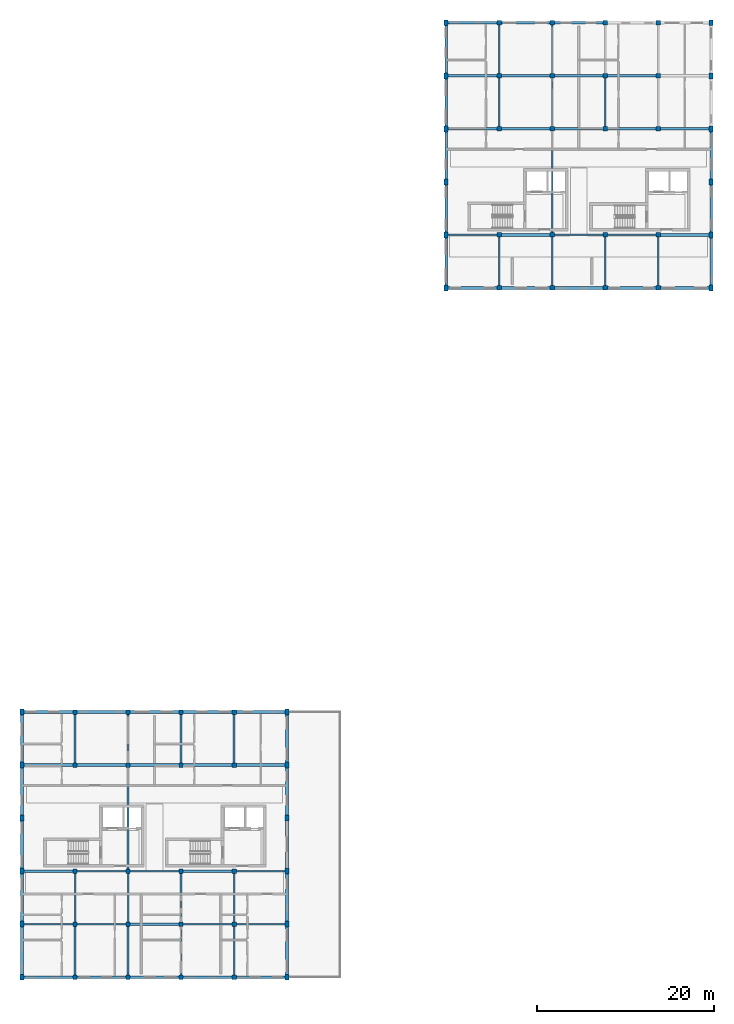
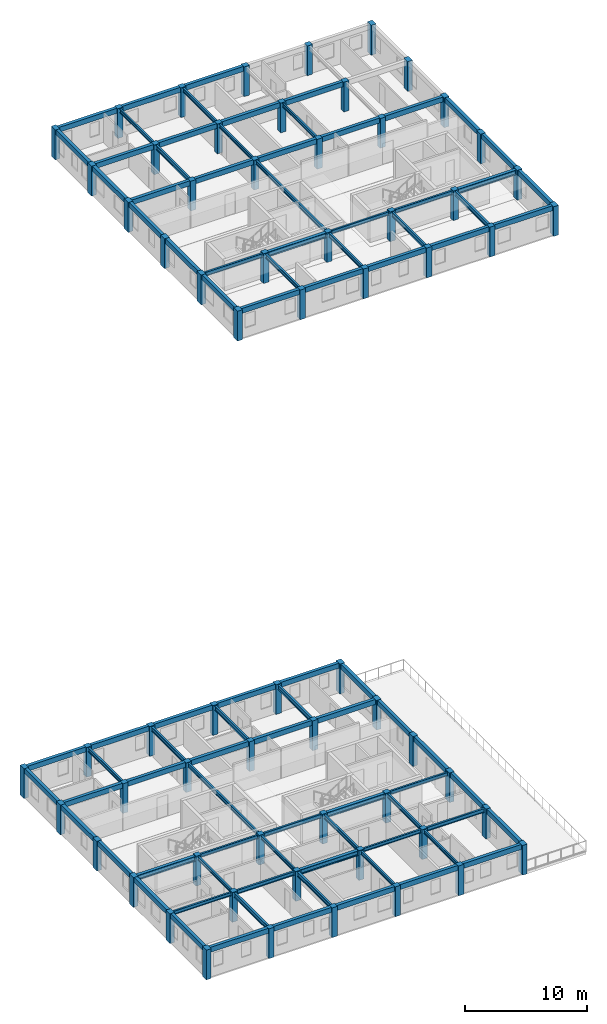
# One storey, part 1 of 13: 88 beams, 64 columns.
"""IFC4 building model written with IfcOpenShell, lengths in metres."""

from ifc_helpers import new_model, si_unit, direction, frame, origin, origin_2d, place, context, subcontext, project, spatial, rectangle, i_section, extrude, material, material_profile, profile_set, type_object, element, save


model = new_model("IFC4")

# Units and contexts
model_context = context("Model", 3, precision=1e-05, world=origin(), true_north=direction((0.0, 1.0)))
body_context = subcontext(model_context, "Body", "Model", "MODEL_VIEW")
ifc_project = project(units=[si_unit("LENGTHUNIT", "METRE"), si_unit("AREAUNIT", "SQUARE_METRE"), si_unit("VOLUMEUNIT", "CUBIC_METRE"), si_unit("PLANEANGLEUNIT", "RADIAN"), si_unit("MASSUNIT", "GRAM", prefix="KILO"), si_unit("POWERUNIT", "WATT"), si_unit("THERMODYNAMICTEMPERATUREUNIT", "KELVIN")], contexts=[model_context])

# Site, building, storey
site_placement = place(None, origin())
site = spatial("IfcSite", under=ifc_project, at=site_placement, CompositionType="ELEMENT")
building_placement = place(site_placement, origin())
building = spatial("IfcBuilding", under=site, at=building_placement, Name="Ruvembo Vaulted Housing Court", CompositionType="ELEMENT")
storey_placement = place(building_placement, frame((0.0, 0.0, 33.300048828125)))
storey = spatial("IfcBuildingStorey", under=building, at=storey_placement, Name="L10", CompositionType="ELEMENT", Elevation=33.300048828125)

# Columns
ifc_material_1 = material(Name="Concrete C35/45", Category="concrete")
ifc_material_profile_1 = material_profile(ifc_material_1, rectangle(XDim=0.449951171875, YDim=0.64990234375, at=origin_2d()), Name="RC 450x650")
ifc_profile_set_1 = profile_set([ifc_material_profile_1], Name="Concrete C35/45")
column_type_1 = type_object("IfcColumnType", Name="COL-RC-450x650", PredefinedType="COLUMN", material=ifc_profile_set_1)
for number, where, z_axis, x_axis, name in (
    (1, (0.0, 6.0, 0.0), (0.0, 0.0, 1.0), (1.0, 0.0, 0.0), "L10 Column (0,6)"),
    (2, (0.0, 12.0, 0.0), (0.0, 0.0, 1.0), (1.0, 0.0, 0.0), "L10 Column (0,12)"),
    (3, (0.0, 18.0, 0.0), (0.0, 0.0, 1.0), (1.0, 0.0, 0.0), "L10 Column (0,18)"),
    (4, (0.0, 24.0, 0.0), (0.0, 0.0, 1.0), (1.0, 0.0, 0.0), "L10 Column (0,24)"),
    (5, (0.0, 30.0, 0.0), (0.0, 0.0, 1.0), (1.0, 0.0, 0.0), "L10 Column (0,30)"),
    (6, (0.0, 36.0, 0.0), (0.0, 0.0, 1.0), (1.0, 0.0, 0.0), "L10 Column (0,36)"),
    (7, (30.0, 6.0, 0.0), (0.0, 0.0, 1.0), (1.0, 0.0, 0.0), "L10 Column (30,6)"),
    (8, (30.0, 12.0, 0.0), (0.0, 0.0, 1.0), (1.0, 0.0, 0.0), "L10 Column (30,12)"),
    (9, (30.0, 18.0, 0.0), (0.0, 0.0, 1.0), (1.0, 0.0, 0.0), "L10 Column (30,18)"),
    (10, (30.0, 24.0, 0.0), (0.0, 0.0, 1.0), (1.0, 0.0, 0.0), "L10 Column (30,24)"),
    (11, (30.0, 30.0, 0.0), (0.0, 0.0, 1.0), (1.0, 0.0, 0.0), "L10 Column (30,30)"),
    (12, (30.0, 36.0, 0.0), (0.0, 0.0, 1.0), (1.0, 0.0, 0.0), "L10 Column (30,36)"),
    (13, (48.0, 84.0, 0.0), (0.0, 0.0, 1.0), (1.0, 0.0, 0.0), "L10 Column (48,84)"),
    (14, (48.0, 90.0, 0.0), (0.0, 0.0, 1.0), (1.0, 0.0, 0.0), "L10 Column (48,90)"),
    (15, (48.0, 96.0, 0.0), (0.0, 0.0, 1.0), (1.0, 0.0, 0.0), "L10 Column (48,96)"),
    (16, (48.0, 102.0, 0.0), (0.0, 0.0, 1.0), (1.0, 0.0, 0.0), "L10 Column (48,102)"),
    (17, (48.0, 108.0, 0.0), (0.0, 0.0, 1.0), (1.0, 0.0, 0.0), "L10 Column (48,108)"),
    (18, (48.0, 114.0, 0.0), (0.0, 0.0, 1.0), (1.0, 0.0, 0.0), "L10 Column (48,114)"),
    (19, (78.0, 84.0, 0.0), (0.0, 0.0, 1.0), (1.0, 0.0, 0.0), "L10 Column (78,84)"),
    (20, (78.0, 90.0, 0.0), (0.0, 0.0, 1.0), (1.0, 0.0, 0.0), "L10 Column (78,90)"),
    (21, (78.0, 96.0, 0.0), (0.0, 0.0, 1.0), (1.0, 0.0, 0.0), "L10 Column (78,96)"),
    (22, (78.0, 102.0, 0.0), (0.0, 0.0, 1.0), (1.0, 0.0, 0.0), "L10 Column (78,102)"),
    (23, (78.0, 108.0, 0.0), (0.0, 0.0, 1.0), (1.0, 0.0, 0.0), "L10 Column (78,108)"),
    (24, (78.0, 114.0, 0.0), (0.0, 0.0, 1.0), (1.0, 0.0, 0.0), "L10 Column (78,114)"),
):
    element("IfcColumn", number, at=place(storey_placement, frame(where, z_axis=z_axis, x_axis=x_axis)), inside=storey, type_object=column_type_1, Name=name, PredefinedType="COLUMN", context=body_context, shape_type="SweptSolid", body=[
        extrude(rectangle(XDim=0.449951171875, YDim=0.64990234375, at=origin_2d()), origin(), (0.0, 0.0, 1.0), 2.989990234375),
    ])
ifc_material_profile_2 = material_profile(ifc_material_1, rectangle(XDim=0.5, YDim=0.5, at=origin_2d()), Name="RC 500x500")
ifc_profile_set_2 = profile_set([ifc_material_profile_2], Name="Concrete C35/45")
column_type_2 = type_object("IfcColumnType", Name="COL-RC-500", PredefinedType="COLUMN", material=ifc_profile_set_2)
for number, where, z_axis, x_axis, name in (
    (25, (6.0, 6.0, 0.0), (0.0, 0.0, 1.0), (1.0, 0.0, 0.0), "L10 Column (6,6)"),
    (26, (6.0, 12.0, 0.0), (0.0, 0.0, 1.0), (1.0, 0.0, 0.0), "L10 Column (6,12)"),
    (27, (6.0, 18.0, 0.0), (0.0, 0.0, 1.0), (1.0, 0.0, 0.0), "L10 Column (6,18)"),
    (28, (6.0, 30.0, 0.0), (0.0, 0.0, 1.0), (1.0, 0.0, 0.0), "L10 Column (6,30)"),
    (29, (6.0, 36.0, 0.0), (0.0, 0.0, 1.0), (1.0, 0.0, 0.0), "L10 Column (6,36)"),
    (30, (12.0, 6.0, 0.0), (0.0, 0.0, 1.0), (1.0, 0.0, 0.0), "L10 Column (12,6)"),
    (31, (12.0, 12.0, 0.0), (0.0, 0.0, 1.0), (1.0, 0.0, 0.0), "L10 Column (12,12)"),
    (32, (12.0, 18.0, 0.0), (0.0, 0.0, 1.0), (1.0, 0.0, 0.0), "L10 Column (12,18)"),
    (33, (12.0, 30.0, 0.0), (0.0, 0.0, 1.0), (1.0, 0.0, 0.0), "L10 Column (12,30)"),
    (34, (12.0, 36.0, 0.0), (0.0, 0.0, 1.0), (1.0, 0.0, 0.0), "L10 Column (12,36)"),
    (35, (18.0, 6.0, 0.0), (0.0, 0.0, 1.0), (1.0, 0.0, 0.0), "L10 Column (18,6)"),
    (36, (18.0, 12.0, 0.0), (0.0, 0.0, 1.0), (1.0, 0.0, 0.0), "L10 Column (18,12)"),
    (37, (18.0, 18.0, 0.0), (0.0, 0.0, 1.0), (1.0, 0.0, 0.0), "L10 Column (18,18)"),
    (38, (18.0, 30.0, 0.0), (0.0, 0.0, 1.0), (1.0, 0.0, 0.0), "L10 Column (18,30)"),
    (39, (18.0, 36.0, 0.0), (0.0, 0.0, 1.0), (1.0, 0.0, 0.0), "L10 Column (18,36)"),
    (40, (24.0, 6.0, 0.0), (0.0, 0.0, 1.0), (1.0, 0.0, 0.0), "L10 Column (24,6)"),
    (41, (24.0, 12.0, 0.0), (0.0, 0.0, 1.0), (1.0, 0.0, 0.0), "L10 Column (24,12)"),
    (42, (24.0, 18.0, 0.0), (0.0, 0.0, 1.0), (1.0, 0.0, 0.0), "L10 Column (24,18)"),
    (43, (24.0, 30.0, 0.0), (0.0, 0.0, 1.0), (1.0, 0.0, 0.0), "L10 Column (24,30)"),
    (44, (24.0, 36.0, 0.0), (0.0, 0.0, 1.0), (1.0, 0.0, 0.0), "L10 Column (24,36)"),
    (45, (54.0, 84.0, 0.0), (0.0, 0.0, 1.0), (1.0, 0.0, 0.0), "L10 Column (54,84)"),
    (46, (54.0, 90.0, 0.0), (0.0, 0.0, 1.0), (1.0, 0.0, 0.0), "L10 Column (54,90)"),
    (47, (54.0, 102.0, 0.0), (0.0, 0.0, 1.0), (1.0, 0.0, 0.0), "L10 Column (54,102)"),
    (48, (54.0, 108.0, 0.0), (0.0, 0.0, 1.0), (1.0, 0.0, 0.0), "L10 Column (54,108)"),
    (49, (54.0, 114.0, 0.0), (0.0, 0.0, 1.0), (1.0, 0.0, 0.0), "L10 Column (54,114)"),
    (50, (60.0, 84.0, 0.0), (0.0, 0.0, 1.0), (1.0, 0.0, 0.0), "L10 Column (60,84)"),
    (51, (60.0, 90.0, 0.0), (0.0, 0.0, 1.0), (1.0, 0.0, 0.0), "L10 Column (60,90)"),
    (52, (60.0, 102.0, 0.0), (0.0, 0.0, 1.0), (1.0, 0.0, 0.0), "L10 Column (60,102)"),
    (53, (60.0, 108.0, 0.0), (0.0, 0.0, 1.0), (1.0, 0.0, 0.0), "L10 Column (60,108)"),
    (54, (60.0, 114.0, 0.0), (0.0, 0.0, 1.0), (1.0, 0.0, 0.0), "L10 Column (60,114)"),
    (55, (66.0, 84.0, 0.0), (0.0, 0.0, 1.0), (1.0, 0.0, 0.0), "L10 Column (66,84)"),
    (56, (66.0, 90.0, 0.0), (0.0, 0.0, 1.0), (1.0, 0.0, 0.0), "L10 Column (66,90)"),
    (57, (66.0, 102.0, 0.0), (0.0, 0.0, 1.0), (1.0, 0.0, 0.0), "L10 Column (66,102)"),
    (58, (66.0, 108.0, 0.0), (0.0, 0.0, 1.0), (1.0, 0.0, 0.0), "L10 Column (66,108)"),
    (59, (66.0, 114.0, 0.0), (0.0, 0.0, 1.0), (1.0, 0.0, 0.0), "L10 Column (66,114)"),
    (60, (72.0, 84.0, 0.0), (0.0, 0.0, 1.0), (1.0, 0.0, 0.0), "L10 Column (72,84)"),
    (61, (72.0, 90.0, 0.0), (0.0, 0.0, 1.0), (1.0, 0.0, 0.0), "L10 Column (72,90)"),
    (62, (72.0, 102.0, 0.0), (0.0, 0.0, 1.0), (1.0, 0.0, 0.0), "L10 Column (72,102)"),
    (63, (72.0, 108.0, 0.0), (0.0, 0.0, 1.0), (1.0, 0.0, 0.0), "L10 Column (72,108)"),
    (64, (72.0, 114.0, 0.0), (0.0, 0.0, 1.0), (1.0, 0.0, 0.0), "L10 Column (72,114)"),
):
    element("IfcColumn", number, at=place(storey_placement, frame(where, z_axis=z_axis, x_axis=x_axis)), inside=storey, type_object=column_type_2, Name=name, PredefinedType="COLUMN", context=body_context, shape_type="SweptSolid", body=[
        extrude(rectangle(XDim=0.5, YDim=0.5, at=origin_2d()), origin(), (0.0, 0.0, 1.0), 2.989990234375),
    ])

# Beams
ifc_material_2 = material(Name="Steel S355J2", Category="steel")
ifc_material_profile_3 = material_profile(ifc_material_2, i_section(OverallWidth=0.300048828125, OverallDepth=0.5, WebThickness=0.014404296875, FlangeThickness=0.028076171875, FilletRadius=0.027099609375, at=origin_2d()), Name="HEB 320")
ifc_profile_set_3 = profile_set([ifc_material_profile_3], Name="Steel S355J2")
beam_type_1 = type_object("IfcBeamType", Name="BM-ST-HEB320", PredefinedType="BEAM", material=ifc_profile_set_3)
beam_1_placement = place(storey_placement, frame((12.235107421875, 12.0, 2.676025390625), z_axis=(1.0, 0.0, 0.0), x_axis=(0.0, 1.0, 0.0)))
element("IfcBeam", 65, at=beam_1_placement, inside=storey, type_object=beam_type_1, Name="L10 Grid Beam X #3248", PredefinedType="BEAM", context=body_context, shape_type="SweptSolid", body=[
    extrude(i_section(OverallWidth=0.300048828125, OverallDepth=0.5, WebThickness=0.014404296875, FlangeThickness=0.028076171875, FilletRadius=0.027099609375, at=origin_2d()), origin(), (0.0, 0.0, 1.0), 5.52978515625),
])
beam_2_placement = place(storey_placement, frame((0.2099609375, 18.0, 2.676025390625), z_axis=(1.0, 0.0, 0.0), x_axis=(0.0, 1.0, 0.0)))
element("IfcBeam", 66, at=beam_2_placement, inside=storey, type_object=beam_type_1, Name="L10 Grid Beam X #3251", PredefinedType="BEAM", context=body_context, shape_type="SweptSolid", body=[
    extrude(i_section(OverallWidth=0.300048828125, OverallDepth=0.5, WebThickness=0.014404296875, FlangeThickness=0.028076171875, FilletRadius=0.027099609375, at=origin_2d()), origin(), (0.0, 0.0, 1.0), 5.554931640625),
])
for number, where, z_axis, x_axis, name in (
    (67, (18.235107421875, 18.0, 2.676025390625), (1.0, 0.0, 0.0), (0.0, 1.0, 0.0), "L10 Grid Beam X #3254"),
    (68, (54.235107421875, 90.0, 2.676025390625), (1.0, 0.0, 0.0), (0.0, 1.0, 0.0), "L10 Grid Beam X #3272"),
):
    element("IfcBeam", number, at=place(storey_placement, frame(where, z_axis=z_axis, x_axis=x_axis)), inside=storey, type_object=beam_type_1, Name=name, PredefinedType="BEAM", context=body_context, shape_type="SweptSolid", body=[
        extrude(i_section(OverallWidth=0.300048828125, OverallDepth=0.5, WebThickness=0.014404296875, FlangeThickness=0.028076171875, FilletRadius=0.027099609375, at=origin_2d()), origin(), (0.0, 0.0, 1.0), 5.52978515625),
    ])
beam_3_placement = place(storey_placement, frame((72.235107421875, 90.0, 2.676025390625), z_axis=(1.0, 0.0, 0.0), x_axis=(0.0, 1.0, 0.0)))
element("IfcBeam", 69, at=beam_3_placement, inside=storey, type_object=beam_type_1, Name="L10 Grid Beam X #3275", PredefinedType="BEAM", context=body_context, shape_type="SweptSolid", body=[
    extrude(i_section(OverallWidth=0.300048828125, OverallDepth=0.5, WebThickness=0.014404296875, FlangeThickness=0.028076171875, FilletRadius=0.027099609375, at=origin_2d()), origin(), (0.0, 0.0, 1.0), 5.554931640625),
])
ifc_material_profile_4 = material_profile(ifc_material_2, i_section(OverallWidth=0.169921875, OverallDepth=0.360107421875, WebThickness=0.008056640625, FlangeThickness=0.0126953125, FilletRadius=0.01806640625, at=origin_2d()), Name="IPE 360")
ifc_profile_set_4 = profile_set([ifc_material_profile_4], Name="Steel S355J2")
beam_type_2 = type_object("IfcBeamType", Name="BM-ST-IPE360", PredefinedType="BEAM", material=ifc_profile_set_4)
beam_4_placement = place(storey_placement, frame((0.2099609375, 12.0, 2.745849609375), z_axis=(1.0, 0.0, 0.0), x_axis=(0.0, 1.0, 0.0)))
element("IfcBeam", 70, at=beam_4_placement, inside=storey, type_object=beam_type_2, Name="L10 Grid Beam X #3246", PredefinedType="BEAM", context=body_context, shape_type="SweptSolid", body=[
    extrude(i_section(OverallWidth=0.169921875, OverallDepth=0.360107421875, WebThickness=0.008056640625, FlangeThickness=0.0126953125, FilletRadius=0.01806640625, at=origin_2d()), origin(), (0.0, 0.0, 1.0), 5.554931640625),
])
for number, where, z_axis, x_axis, name in (
    (71, (18.235107421875, 12.0, 2.745849609375), (1.0, 0.0, 0.0), (0.0, 1.0, 0.0), "L10 Grid Beam X #3249"),
    (72, (6.235107421875, 18.0, 2.745849609375), (1.0, 0.0, 0.0), (0.0, 1.0, 0.0), "L10 Grid Beam X #3252"),
):
    element("IfcBeam", number, at=place(storey_placement, frame(where, z_axis=z_axis, x_axis=x_axis)), inside=storey, type_object=beam_type_2, Name=name, PredefinedType="BEAM", context=body_context, shape_type="SweptSolid", body=[
        extrude(i_section(OverallWidth=0.169921875, OverallDepth=0.360107421875, WebThickness=0.008056640625, FlangeThickness=0.0126953125, FilletRadius=0.01806640625, at=origin_2d()), origin(), (0.0, 0.0, 1.0), 5.52978515625),
    ])
beam_5_placement = place(storey_placement, frame((24.235107421875, 18.0, 2.745849609375), z_axis=(1.0, 0.0, 0.0), x_axis=(0.0, 1.0, 0.0)))
element("IfcBeam", 73, at=beam_5_placement, inside=storey, type_object=beam_type_2, Name="L10 Grid Beam X #3255", PredefinedType="BEAM", context=body_context, shape_type="SweptSolid", body=[
    extrude(i_section(OverallWidth=0.169921875, OverallDepth=0.360107421875, WebThickness=0.008056640625, FlangeThickness=0.0126953125, FilletRadius=0.01806640625, at=origin_2d()), origin(), (0.0, 0.0, 1.0), 5.554931640625),
])
for number, where, z_axis, x_axis, name in (
    (74, (60.235107421875, 90.0, 2.745849609375), (1.0, 0.0, 0.0), (0.0, 1.0, 0.0), "L10 Grid Beam X #3273"),
    (75, (6.0, 12.235107421875, 2.745849609375), (0.0, 1.0, 0.0), (-1.0, 0.0, 0.0), "L10 Grid Beam Y #3297"),
    (76, (12.0, 12.235107421875, 2.745849609375), (0.0, 1.0, 0.0), (-1.0, 0.0, 0.0), "L10 Grid Beam Y #3300"),
    (77, (18.0, 6.235107421875, 2.745849609375), (0.0, 1.0, 0.0), (-1.0, 0.0, 0.0), "L10 Grid Beam Y #3303"),
    (78, (24.0, 6.235107421875, 2.745849609375), (0.0, 1.0, 0.0), (-1.0, 0.0, 0.0), "L10 Grid Beam Y #3306"),
    (79, (54.0, 108.235107421875, 2.745849609375), (0.0, 1.0, 0.0), (-1.0, 0.0, 0.0), "L10 Grid Beam Y #3321"),
    (80, (60.0, 102.235107421875, 2.745849609375), (0.0, 1.0, 0.0), (-1.0, 0.0, 0.0), "L10 Grid Beam Y #3324"),
    (81, (66.0, 102.235107421875, 2.745849609375), (0.0, 1.0, 0.0), (-1.0, 0.0, 0.0), "L10 Grid Beam Y #3327"),
):
    element("IfcBeam", number, at=place(storey_placement, frame(where, z_axis=z_axis, x_axis=x_axis)), inside=storey, type_object=beam_type_2, Name=name, PredefinedType="BEAM", context=body_context, shape_type="SweptSolid", body=[
        extrude(i_section(OverallWidth=0.169921875, OverallDepth=0.360107421875, WebThickness=0.008056640625, FlangeThickness=0.0126953125, FilletRadius=0.01806640625, at=origin_2d()), origin(), (0.0, 0.0, 1.0), 5.52978515625),
    ])
ifc_material_profile_5 = material_profile(ifc_material_2, i_section(OverallWidth=0.179931640625, OverallDepth=0.39990234375, WebThickness=0.008544921875, FlangeThickness=0.013427734375, FilletRadius=0.02099609375, at=origin_2d()), Name="IPE 400")
ifc_profile_set_5 = profile_set([ifc_material_profile_5], Name="Steel S355J2")
beam_type_3 = type_object("IfcBeamType", Name="BM-ST-IPE400", PredefinedType="BEAM", material=ifc_profile_set_5)
beam_6_placement = place(storey_placement, frame((6.235107421875, 12.0, 2.725830078125), z_axis=(1.0, 0.0, 0.0), x_axis=(0.0, 1.0, 0.0)))
element("IfcBeam", 82, at=beam_6_placement, inside=storey, type_object=beam_type_3, Name="L10 Grid Beam X #3247", PredefinedType="BEAM", context=body_context, shape_type="SweptSolid", body=[
    extrude(i_section(OverallWidth=0.179931640625, OverallDepth=0.39990234375, WebThickness=0.008544921875, FlangeThickness=0.013427734375, FilletRadius=0.02099609375, at=origin_2d()), origin(), (0.0, 0.0, 1.0), 5.52978515625),
])
beam_7_placement = place(storey_placement, frame((24.235107421875, 12.0, 2.725830078125), z_axis=(1.0, 0.0, 0.0), x_axis=(0.0, 1.0, 0.0)))
element("IfcBeam", 83, at=beam_7_placement, inside=storey, type_object=beam_type_3, Name="L10 Grid Beam X #3250", PredefinedType="BEAM", context=body_context, shape_type="SweptSolid", body=[
    extrude(i_section(OverallWidth=0.179931640625, OverallDepth=0.39990234375, WebThickness=0.008544921875, FlangeThickness=0.013427734375, FilletRadius=0.02099609375, at=origin_2d()), origin(), (0.0, 0.0, 1.0), 5.554931640625),
])
beam_8_placement = place(storey_placement, frame((12.235107421875, 18.0, 2.725830078125), z_axis=(1.0, 0.0, 0.0), x_axis=(0.0, 1.0, 0.0)))
element("IfcBeam", 84, at=beam_8_placement, inside=storey, type_object=beam_type_3, Name="L10 Grid Beam X #3253", PredefinedType="BEAM", context=body_context, shape_type="SweptSolid", body=[
    extrude(i_section(OverallWidth=0.179931640625, OverallDepth=0.39990234375, WebThickness=0.008544921875, FlangeThickness=0.013427734375, FilletRadius=0.02099609375, at=origin_2d()), origin(), (0.0, 0.0, 1.0), 5.52978515625),
])
beam_9_placement = place(storey_placement, frame((48.2099609375, 90.0, 2.725830078125), z_axis=(1.0, 0.0, 0.0), x_axis=(0.0, 1.0, 0.0)))
element("IfcBeam", 85, at=beam_9_placement, inside=storey, type_object=beam_type_3, Name="L10 Grid Beam X #3271", PredefinedType="BEAM", context=body_context, shape_type="SweptSolid", body=[
    extrude(i_section(OverallWidth=0.179931640625, OverallDepth=0.39990234375, WebThickness=0.008544921875, FlangeThickness=0.013427734375, FilletRadius=0.02099609375, at=origin_2d()), origin(), (0.0, 0.0, 1.0), 5.554931640625),
])
for number, where, z_axis, x_axis, name in (
    (86, (66.235107421875, 90.0, 2.725830078125), (1.0, 0.0, 0.0), (0.0, 1.0, 0.0), "L10 Grid Beam X #3274"),
    (87, (6.0, 30.235107421875, 2.725830078125), (0.0, 1.0, 0.0), (-1.0, 0.0, 0.0), "L10 Grid Beam Y #3298"),
):
    element("IfcBeam", number, at=place(storey_placement, frame(where, z_axis=z_axis, x_axis=x_axis)), inside=storey, type_object=beam_type_3, Name=name, PredefinedType="BEAM", context=body_context, shape_type="SweptSolid", body=[
        extrude(i_section(OverallWidth=0.179931640625, OverallDepth=0.39990234375, WebThickness=0.008544921875, FlangeThickness=0.013427734375, FilletRadius=0.02099609375, at=origin_2d()), origin(), (0.0, 0.0, 1.0), 5.52978515625),
    ])
beam_10_placement = place(storey_placement, frame((12.0, 18.235107421875, 2.725830078125), z_axis=(0.0, 1.0, 0.0), x_axis=(-1.0, 0.0, 0.0)))
element("IfcBeam", 88, at=beam_10_placement, inside=storey, type_object=beam_type_3, Name="L10 Grid Beam Y #3301", PredefinedType="BEAM", context=body_context, shape_type="SweptSolid", body=[
    extrude(i_section(OverallWidth=0.179931640625, OverallDepth=0.39990234375, WebThickness=0.008544921875, FlangeThickness=0.013427734375, FilletRadius=0.02099609375, at=origin_2d()), origin(), (0.0, 0.0, 1.0), 11.52978515625),
])
for number, where, z_axis, x_axis, name in (
    (89, (18.0, 12.235107421875, 2.725830078125), (0.0, 1.0, 0.0), (-1.0, 0.0, 0.0), "L10 Grid Beam Y #3304"),
    (90, (24.0, 12.235107421875, 2.725830078125), (0.0, 1.0, 0.0), (-1.0, 0.0, 0.0), "L10 Grid Beam Y #3307"),
    (91, (54.0, 84.235107421875, 2.725830078125), (0.0, 1.0, 0.0), (-1.0, 0.0, 0.0), "L10 Grid Beam Y #3319"),
    (92, (60.0, 84.235107421875, 2.725830078125), (0.0, 1.0, 0.0), (-1.0, 0.0, 0.0), "L10 Grid Beam Y #3322"),
):
    element("IfcBeam", number, at=place(storey_placement, frame(where, z_axis=z_axis, x_axis=x_axis)), inside=storey, type_object=beam_type_3, Name=name, PredefinedType="BEAM", context=body_context, shape_type="SweptSolid", body=[
        extrude(i_section(OverallWidth=0.179931640625, OverallDepth=0.39990234375, WebThickness=0.008544921875, FlangeThickness=0.013427734375, FilletRadius=0.02099609375, at=origin_2d()), origin(), (0.0, 0.0, 1.0), 5.52978515625),
    ])
beam_11_placement = place(storey_placement, frame((60.0, 90.235107421875, 2.725830078125), z_axis=(0.0, 1.0, 0.0), x_axis=(-1.0, 0.0, 0.0)))
element("IfcBeam", 93, at=beam_11_placement, inside=storey, type_object=beam_type_3, Name="L10 Grid Beam Y #3323", PredefinedType="BEAM", context=body_context, shape_type="SweptSolid", body=[
    extrude(i_section(OverallWidth=0.179931640625, OverallDepth=0.39990234375, WebThickness=0.008544921875, FlangeThickness=0.013427734375, FilletRadius=0.02099609375, at=origin_2d()), origin(), (0.0, 0.0, 1.0), 11.52978515625),
])
beam_12_placement = place(storey_placement, frame((60.0, 108.235107421875, 2.725830078125), z_axis=(0.0, 1.0, 0.0), x_axis=(-1.0, 0.0, 0.0)))
element("IfcBeam", 94, at=beam_12_placement, inside=storey, type_object=beam_type_3, Name="L10 Grid Beam Y #3325", PredefinedType="BEAM", context=body_context, shape_type="SweptSolid", body=[
    extrude(i_section(OverallWidth=0.179931640625, OverallDepth=0.39990234375, WebThickness=0.008544921875, FlangeThickness=0.013427734375, FilletRadius=0.02099609375, at=origin_2d()), origin(), (0.0, 0.0, 1.0), 5.52978515625),
])
ifc_material_profile_6 = material_profile(ifc_material_2, i_section(OverallWidth=0.18994140625, OverallDepth=0.449951171875, WebThickness=0.009521484375, FlangeThickness=0.0146484375, FilletRadius=0.02099609375, at=origin_2d()), Name="IPE 450")
ifc_profile_set_6 = profile_set([ifc_material_profile_6], Name="Steel S355J2")
beam_type_4 = type_object("IfcBeamType", Name="BM-ST-IPE450", PredefinedType="BEAM", material=ifc_profile_set_6)
for number, where, z_axis, x_axis, name in (
    (95, (6.0, 6.235107421875, 2.700927734375), (0.0, 1.0, 0.0), (-1.0, 0.0, 0.0), "L10 Grid Beam Y #3296"),
    (96, (12.0, 6.235107421875, 2.700927734375), (0.0, 1.0, 0.0), (-1.0, 0.0, 0.0), "L10 Grid Beam Y #3299"),
    (97, (12.0, 30.235107421875, 2.700927734375), (0.0, 1.0, 0.0), (-1.0, 0.0, 0.0), "L10 Grid Beam Y #3302"),
    (98, (18.0, 30.235107421875, 2.700927734375), (0.0, 1.0, 0.0), (-1.0, 0.0, 0.0), "L10 Grid Beam Y #3305"),
    (99, (24.0, 30.235107421875, 2.700927734375), (0.0, 1.0, 0.0), (-1.0, 0.0, 0.0), "L10 Grid Beam Y #3308"),
    (100, (54.0, 102.235107421875, 2.700927734375), (0.0, 1.0, 0.0), (-1.0, 0.0, 0.0), "L10 Grid Beam Y #3320"),
    (101, (66.0, 84.235107421875, 2.700927734375), (0.0, 1.0, 0.0), (-1.0, 0.0, 0.0), "L10 Grid Beam Y #3326"),
    (102, (72.0, 84.235107421875, 2.700927734375), (0.0, 1.0, 0.0), (-1.0, 0.0, 0.0), "L10 Grid Beam Y #3329"),
):
    element("IfcBeam", number, at=place(storey_placement, frame(where, z_axis=z_axis, x_axis=x_axis)), inside=storey, type_object=beam_type_4, Name=name, PredefinedType="BEAM", context=body_context, shape_type="SweptSolid", body=[
        extrude(i_section(OverallWidth=0.18994140625, OverallDepth=0.449951171875, WebThickness=0.009521484375, FlangeThickness=0.0146484375, FilletRadius=0.02099609375, at=origin_2d()), origin(), (0.0, 0.0, 1.0), 5.52978515625),
    ])
ifc_material_profile_7 = material_profile(ifc_material_1, rectangle(XDim=0.300048828125, YDim=0.5, at=origin_2d()), Name="RC 300x500")
ifc_profile_set_7 = profile_set([ifc_material_profile_7], Name="Concrete C35/45")
beam_type_5 = type_object("IfcBeamType", Name="SP-RC-300x500", PredefinedType="SPANDREL", material=ifc_profile_set_7)
beam_13_placement = place(storey_placement, frame((0.2099609375, 6.0, 2.739990234375), z_axis=(1.0, 0.0, 0.0), x_axis=(0.0, 1.0, 0.0)))
element("IfcBeam", 103, at=beam_13_placement, inside=storey, type_object=beam_type_5, Name="L10 Grid Beam X #3241", PredefinedType="SPANDREL", context=body_context, shape_type="SweptSolid", body=[
    extrude(rectangle(XDim=0.300048828125, YDim=0.5, at=origin_2d()), origin(), (0.0, 0.0, 1.0), 5.554931640625),
])
for number, where, z_axis, x_axis, name in (
    (104, (6.235107421875, 6.0, 2.739990234375), (1.0, 0.0, 0.0), (0.0, 1.0, 0.0), "L10 Grid Beam X #3242"),
    (105, (12.235107421875, 6.0, 2.739990234375), (1.0, 0.0, 0.0), (0.0, 1.0, 0.0), "L10 Grid Beam X #3243"),
    (106, (18.235107421875, 6.0, 2.739990234375), (1.0, 0.0, 0.0), (0.0, 1.0, 0.0), "L10 Grid Beam X #3244"),
):
    element("IfcBeam", number, at=place(storey_placement, frame(where, z_axis=z_axis, x_axis=x_axis)), inside=storey, type_object=beam_type_5, Name=name, PredefinedType="SPANDREL", context=body_context, shape_type="SweptSolid", body=[
        extrude(rectangle(XDim=0.300048828125, YDim=0.5, at=origin_2d()), origin(), (0.0, 0.0, 1.0), 5.52978515625),
    ])
for number, where, z_axis, x_axis, name in (
    (107, (24.235107421875, 6.0, 2.739990234375), (1.0, 0.0, 0.0), (0.0, 1.0, 0.0), "L10 Grid Beam X #3245"),
    (108, (0.2099609375, 30.0, 2.739990234375), (1.0, 0.0, 0.0), (0.0, 1.0, 0.0), "L10 Grid Beam X #3256"),
):
    element("IfcBeam", number, at=place(storey_placement, frame(where, z_axis=z_axis, x_axis=x_axis)), inside=storey, type_object=beam_type_5, Name=name, PredefinedType="SPANDREL", context=body_context, shape_type="SweptSolid", body=[
        extrude(rectangle(XDim=0.300048828125, YDim=0.5, at=origin_2d()), origin(), (0.0, 0.0, 1.0), 5.554931640625),
    ])
for number, where, z_axis, x_axis, name in (
    (109, (6.235107421875, 30.0, 2.739990234375), (1.0, 0.0, 0.0), (0.0, 1.0, 0.0), "L10 Grid Beam X #3257"),
    (110, (12.235107421875, 30.0, 2.739990234375), (1.0, 0.0, 0.0), (0.0, 1.0, 0.0), "L10 Grid Beam X #3258"),
    (111, (18.235107421875, 30.0, 2.739990234375), (1.0, 0.0, 0.0), (0.0, 1.0, 0.0), "L10 Grid Beam X #3259"),
):
    element("IfcBeam", number, at=place(storey_placement, frame(where, z_axis=z_axis, x_axis=x_axis)), inside=storey, type_object=beam_type_5, Name=name, PredefinedType="SPANDREL", context=body_context, shape_type="SweptSolid", body=[
        extrude(rectangle(XDim=0.300048828125, YDim=0.5, at=origin_2d()), origin(), (0.0, 0.0, 1.0), 5.52978515625),
    ])
for number, where, z_axis, x_axis, name in (
    (112, (24.235107421875, 30.0, 2.739990234375), (1.0, 0.0, 0.0), (0.0, 1.0, 0.0), "L10 Grid Beam X #3260"),
    (113, (0.2099609375, 36.0, 2.739990234375), (1.0, 0.0, 0.0), (0.0, 1.0, 0.0), "L10 Grid Beam X #3261"),
):
    element("IfcBeam", number, at=place(storey_placement, frame(where, z_axis=z_axis, x_axis=x_axis)), inside=storey, type_object=beam_type_5, Name=name, PredefinedType="SPANDREL", context=body_context, shape_type="SweptSolid", body=[
        extrude(rectangle(XDim=0.300048828125, YDim=0.5, at=origin_2d()), origin(), (0.0, 0.0, 1.0), 5.554931640625),
    ])
for number, where, z_axis, x_axis, name in (
    (114, (6.235107421875, 36.0, 2.739990234375), (1.0, 0.0, 0.0), (0.0, 1.0, 0.0), "L10 Grid Beam X #3262"),
    (115, (12.235107421875, 36.0, 2.739990234375), (1.0, 0.0, 0.0), (0.0, 1.0, 0.0), "L10 Grid Beam X #3263"),
    (116, (18.235107421875, 36.0, 2.739990234375), (1.0, 0.0, 0.0), (0.0, 1.0, 0.0), "L10 Grid Beam X #3264"),
):
    element("IfcBeam", number, at=place(storey_placement, frame(where, z_axis=z_axis, x_axis=x_axis)), inside=storey, type_object=beam_type_5, Name=name, PredefinedType="SPANDREL", context=body_context, shape_type="SweptSolid", body=[
        extrude(rectangle(XDim=0.300048828125, YDim=0.5, at=origin_2d()), origin(), (0.0, 0.0, 1.0), 5.52978515625),
    ])
for number, where, z_axis, x_axis, name in (
    (117, (24.235107421875, 36.0, 2.739990234375), (1.0, 0.0, 0.0), (0.0, 1.0, 0.0), "L10 Grid Beam X #3265"),
    (118, (48.2099609375, 84.0, 2.739990234375), (1.0, 0.0, 0.0), (0.0, 1.0, 0.0), "L10 Grid Beam X #3266"),
):
    element("IfcBeam", number, at=place(storey_placement, frame(where, z_axis=z_axis, x_axis=x_axis)), inside=storey, type_object=beam_type_5, Name=name, PredefinedType="SPANDREL", context=body_context, shape_type="SweptSolid", body=[
        extrude(rectangle(XDim=0.300048828125, YDim=0.5, at=origin_2d()), origin(), (0.0, 0.0, 1.0), 5.554931640625),
    ])
for number, where, z_axis, x_axis, name in (
    (119, (54.235107421875, 84.0, 2.739990234375), (1.0, 0.0, 0.0), (0.0, 1.0, 0.0), "L10 Grid Beam X #3267"),
    (120, (60.235107421875, 84.0, 2.739990234375), (1.0, 0.0, 0.0), (0.0, 1.0, 0.0), "L10 Grid Beam X #3268"),
    (121, (66.235107421875, 84.0, 2.739990234375), (1.0, 0.0, 0.0), (0.0, 1.0, 0.0), "L10 Grid Beam X #3269"),
):
    element("IfcBeam", number, at=place(storey_placement, frame(where, z_axis=z_axis, x_axis=x_axis)), inside=storey, type_object=beam_type_5, Name=name, PredefinedType="SPANDREL", context=body_context, shape_type="SweptSolid", body=[
        extrude(rectangle(XDim=0.300048828125, YDim=0.5, at=origin_2d()), origin(), (0.0, 0.0, 1.0), 5.52978515625),
    ])
for number, where, z_axis, x_axis, name in (
    (122, (72.235107421875, 84.0, 2.739990234375), (1.0, 0.0, 0.0), (0.0, 1.0, 0.0), "L10 Grid Beam X #3270"),
    (123, (48.2099609375, 102.0, 2.739990234375), (1.0, 0.0, 0.0), (0.0, 1.0, 0.0), "L10 Grid Beam X #3276"),
):
    element("IfcBeam", number, at=place(storey_placement, frame(where, z_axis=z_axis, x_axis=x_axis)), inside=storey, type_object=beam_type_5, Name=name, PredefinedType="SPANDREL", context=body_context, shape_type="SweptSolid", body=[
        extrude(rectangle(XDim=0.300048828125, YDim=0.5, at=origin_2d()), origin(), (0.0, 0.0, 1.0), 5.554931640625),
    ])
for number, where, z_axis, x_axis, name in (
    (124, (54.235107421875, 102.0, 2.739990234375), (1.0, 0.0, 0.0), (0.0, 1.0, 0.0), "L10 Grid Beam X #3277"),
    (125, (60.235107421875, 102.0, 2.739990234375), (1.0, 0.0, 0.0), (0.0, 1.0, 0.0), "L10 Grid Beam X #3278"),
    (126, (66.235107421875, 102.0, 2.739990234375), (1.0, 0.0, 0.0), (0.0, 1.0, 0.0), "L10 Grid Beam X #3279"),
):
    element("IfcBeam", number, at=place(storey_placement, frame(where, z_axis=z_axis, x_axis=x_axis)), inside=storey, type_object=beam_type_5, Name=name, PredefinedType="SPANDREL", context=body_context, shape_type="SweptSolid", body=[
        extrude(rectangle(XDim=0.300048828125, YDim=0.5, at=origin_2d()), origin(), (0.0, 0.0, 1.0), 5.52978515625),
    ])
for number, where, z_axis, x_axis, name in (
    (127, (72.235107421875, 102.0, 2.739990234375), (1.0, 0.0, 0.0), (0.0, 1.0, 0.0), "L10 Grid Beam X #3280"),
    (128, (48.2099609375, 108.0, 2.739990234375), (1.0, 0.0, 0.0), (0.0, 1.0, 0.0), "L10 Grid Beam X #3281"),
):
    element("IfcBeam", number, at=place(storey_placement, frame(where, z_axis=z_axis, x_axis=x_axis)), inside=storey, type_object=beam_type_5, Name=name, PredefinedType="SPANDREL", context=body_context, shape_type="SweptSolid", body=[
        extrude(rectangle(XDim=0.300048828125, YDim=0.5, at=origin_2d()), origin(), (0.0, 0.0, 1.0), 5.554931640625),
    ])
for number, where, z_axis, x_axis, name in (
    (129, (54.235107421875, 108.0, 2.739990234375), (1.0, 0.0, 0.0), (0.0, 1.0, 0.0), "L10 Grid Beam X #3282"),
    (130, (60.235107421875, 108.0, 2.739990234375), (1.0, 0.0, 0.0), (0.0, 1.0, 0.0), "L10 Grid Beam X #3283"),
    (131, (66.235107421875, 108.0, 2.739990234375), (1.0, 0.0, 0.0), (0.0, 1.0, 0.0), "L10 Grid Beam X #3284"),
):
    element("IfcBeam", number, at=place(storey_placement, frame(where, z_axis=z_axis, x_axis=x_axis)), inside=storey, type_object=beam_type_5, Name=name, PredefinedType="SPANDREL", context=body_context, shape_type="SweptSolid", body=[
        extrude(rectangle(XDim=0.300048828125, YDim=0.5, at=origin_2d()), origin(), (0.0, 0.0, 1.0), 5.52978515625),
    ])
beam_14_placement = place(storey_placement, frame((48.2099609375, 114.0, 2.739990234375), z_axis=(1.0, 0.0, 0.0), x_axis=(0.0, 1.0, 0.0)))
element("IfcBeam", 132, at=beam_14_placement, inside=storey, type_object=beam_type_5, Name="L10 Grid Beam X #3286", PredefinedType="SPANDREL", context=body_context, shape_type="SweptSolid", body=[
    extrude(rectangle(XDim=0.300048828125, YDim=0.5, at=origin_2d()), origin(), (0.0, 0.0, 1.0), 5.554931640625),
])
for number, where, z_axis, x_axis, name in (
    (133, (54.235107421875, 114.0, 2.739990234375), (1.0, 0.0, 0.0), (0.0, 1.0, 0.0), "L10 Grid Beam X #3287"),
    (134, (60.235107421875, 114.0, 2.739990234375), (1.0, 0.0, 0.0), (0.0, 1.0, 0.0), "L10 Grid Beam X #3288"),
):
    element("IfcBeam", number, at=place(storey_placement, frame(where, z_axis=z_axis, x_axis=x_axis)), inside=storey, type_object=beam_type_5, Name=name, PredefinedType="SPANDREL", context=body_context, shape_type="SweptSolid", body=[
        extrude(rectangle(XDim=0.300048828125, YDim=0.5, at=origin_2d()), origin(), (0.0, 0.0, 1.0), 5.52978515625),
    ])
for number, where, z_axis, x_axis, name in (
    (135, (0.0, 6.31005859375, 2.739990234375), (0.0, 1.0, 0.0), (-1.0, 0.0, 0.0), "L10 Grid Beam Y #3291"),
    (136, (0.0, 12.31005859375, 2.739990234375), (0.0, 1.0, 0.0), (-1.0, 0.0, 0.0), "L10 Grid Beam Y #3292"),
    (137, (0.0, 18.31005859375, 2.739990234375), (0.0, 1.0, 0.0), (-1.0, 0.0, 0.0), "L10 Grid Beam Y #3293"),
    (138, (0.0, 24.31005859375, 2.739990234375), (0.0, 1.0, 0.0), (-1.0, 0.0, 0.0), "L10 Grid Beam Y #3294"),
    (139, (0.0, 30.31005859375, 2.739990234375), (0.0, 1.0, 0.0), (-1.0, 0.0, 0.0), "L10 Grid Beam Y #3295"),
    (140, (30.0, 6.31005859375, 2.739990234375), (0.0, 1.0, 0.0), (-1.0, 0.0, 0.0), "L10 Grid Beam Y #3309"),
    (141, (30.0, 12.31005859375, 2.739990234375), (0.0, 1.0, 0.0), (-1.0, 0.0, 0.0), "L10 Grid Beam Y #3310"),
    (142, (30.0, 18.31005859375, 2.739990234375), (0.0, 1.0, 0.0), (-1.0, 0.0, 0.0), "L10 Grid Beam Y #3311"),
    (143, (30.0, 24.31005859375, 2.739990234375), (0.0, 1.0, 0.0), (-1.0, 0.0, 0.0), "L10 Grid Beam Y #3312"),
    (144, (30.0, 30.31005859375, 2.739990234375), (0.0, 1.0, 0.0), (-1.0, 0.0, 0.0), "L10 Grid Beam Y #3313"),
    (145, (48.0, 84.31005859375, 2.739990234375), (0.0, 1.0, 0.0), (-1.0, 0.0, 0.0), "L10 Grid Beam Y #3314"),
    (146, (48.0, 90.31005859375, 2.739990234375), (0.0, 1.0, 0.0), (-1.0, 0.0, 0.0), "L10 Grid Beam Y #3315"),
    (147, (48.0, 96.31005859375, 2.739990234375), (0.0, 1.0, 0.0), (-1.0, 0.0, 0.0), "L10 Grid Beam Y #3316"),
    (148, (48.0, 102.31005859375, 2.739990234375), (0.0, 1.0, 0.0), (-1.0, 0.0, 0.0), "L10 Grid Beam Y #3317"),
    (149, (48.0, 108.31005859375, 2.739990234375), (0.0, 1.0, 0.0), (-1.0, 0.0, 0.0), "L10 Grid Beam Y #3318"),
    (150, (78.0, 84.31005859375, 2.739990234375), (0.0, 1.0, 0.0), (-1.0, 0.0, 0.0), "L10 Grid Beam Y #3332"),
    (151, (78.0, 90.31005859375, 2.739990234375), (0.0, 1.0, 0.0), (-1.0, 0.0, 0.0), "L10 Grid Beam Y #3333"),
    (152, (78.0, 96.31005859375, 2.739990234375), (0.0, 1.0, 0.0), (-1.0, 0.0, 0.0), "L10 Grid Beam Y #3334"),
):
    element("IfcBeam", number, at=place(storey_placement, frame(where, z_axis=z_axis, x_axis=x_axis)), inside=storey, type_object=beam_type_5, Name=name, PredefinedType="SPANDREL", context=body_context, shape_type="SweptSolid", body=[
        extrude(rectangle(XDim=0.300048828125, YDim=0.5, at=origin_2d()), origin(), (0.0, 0.0, 1.0), 5.3798828125),
    ])

save(model, "model.ifc")
